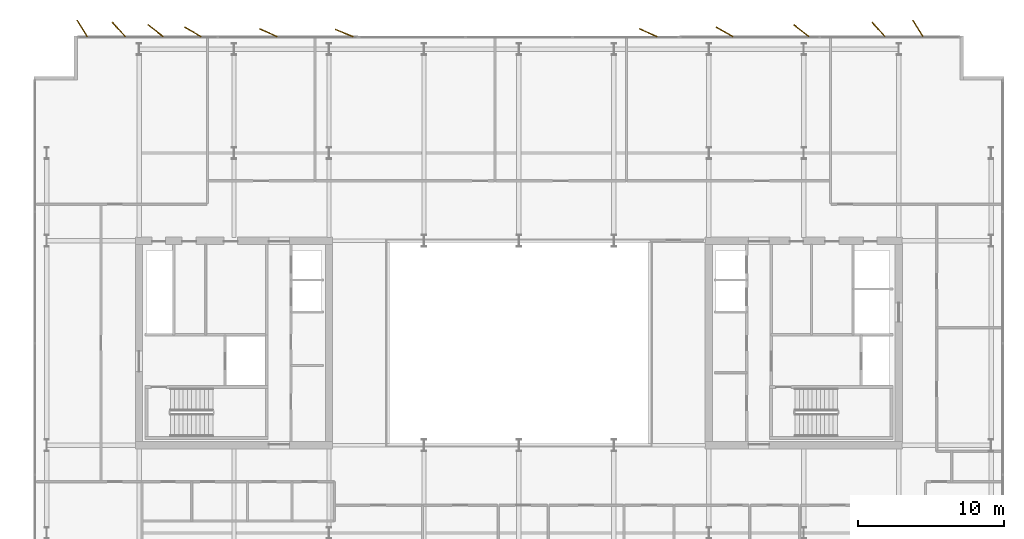
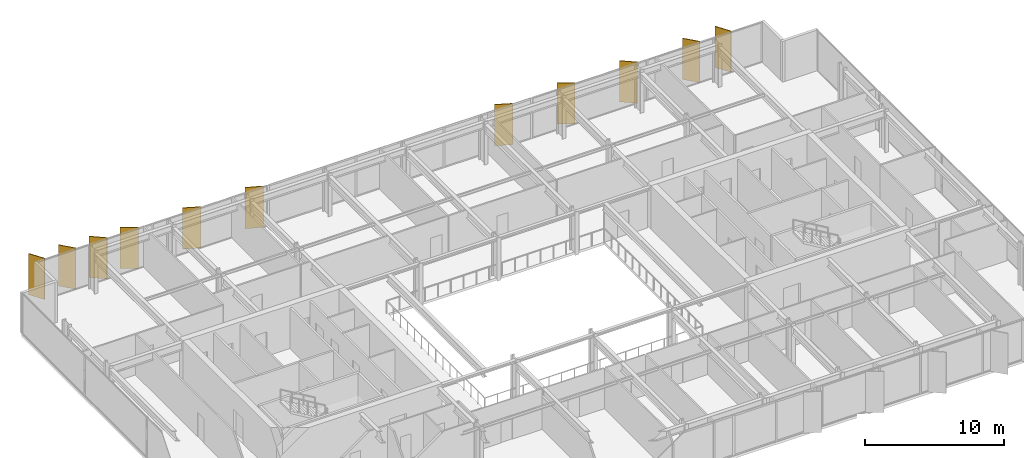
# One storey, part 24 of 24: 11 shading devices.
"""IFC4 building model written with IfcOpenShell, lengths in metres."""

from ifc_helpers import new_model, si_unit, direction, frame, origin, origin_2d, place, context, subcontext, project, spatial, rectangle, extrude, material, layer, layer_set, type_object, element, save


model = new_model("IFC4")

# Units and contexts
model_context = context("Model", 3, precision=1e-05, world=origin(), true_north=direction((0.0, 1.0)))
body_context = subcontext(model_context, "Body", "Model", "MODEL_VIEW")
ifc_project = project(units=[si_unit("LENGTHUNIT", "METRE"), si_unit("AREAUNIT", "SQUARE_METRE"), si_unit("VOLUMEUNIT", "CUBIC_METRE"), si_unit("PLANEANGLEUNIT", "RADIAN"), si_unit("MASSUNIT", "GRAM", prefix="KILO")], contexts=[model_context])

# Site, building, storey
site_placement = place(None, origin())
site = spatial("IfcSite", under=ifc_project, at=site_placement, CompositionType="ELEMENT")
building_placement = place(site_placement, origin())
building = spatial("IfcBuilding", under=site, at=building_placement, Name="Putna Gate Headquarters", CompositionType="ELEMENT")
storey_placement = place(building_placement, frame((0.0, 0.0, 236.60009765625)))
storey = spatial("IfcBuildingStorey", under=building, at=storey_placement, Name="L59", CompositionType="ELEMENT", Elevation=236.60009765625)

# Shading devices
ifc_material = material(Name="Anodised architectural bronze aluminium fin", Category="aluminium")
ifc_layer = layer(ifc_material, 0.06494140625)
ifc_layer_set = layer_set([ifc_layer], Name="Anodised architectural bronze aluminium fin")
shading_device_type = type_object("IfcShadingDeviceType", Name="SHADE-BRONZE-FIN-1320", PredefinedType="USERDEFINED", material=ifc_layer_set)
for number, where, z_axis, x_axis, name in (
    (1, (9.099853515625, 47.534423828125, -0.020263671875), (0.0, 0.0, 1.0), (-0.530659123936, 0.847585331506, 0.0), "L59 Bronze Vertical Shading Fin N1"),
    (2, (11.6083984375, 47.465576171875, -0.020263671875), (0.0, 0.0, 1.0), (-0.669130606359, 0.743144825477, 0.0), "L59 Bronze Vertical Shading Fin N2"),
    (3, (14.13037109375, 47.3818359375, -0.020263671875), (0.0, 0.0, 1.0), (-0.787473187632, 0.616348909921, 0.0), "L59 Bronze Vertical Shading Fin N3"),
    (4, (16.67626953125, 47.30126953125, -0.020263671875), (0.0, 0.0, 1.0), (-0.869322458298, 0.494245347472, 0.0), "L59 Bronze Vertical Shading Fin N4"),
    (5, (21.846923828125, 47.2431640625, -0.020263671875), (0.0, 0.0, 1.0), (-0.913687379856, 0.40641773078, 0.0), "L59 Bronze Vertical Shading Fin N5"),
    (6, (27.0380859375, 47.22216796875, -0.020263671875), (0.0, 0.0, 1.0), (-0.927183854567, 0.374606593416, 0.0), "L59 Bronze Vertical Shading Fin N6"),
    (7, (47.846923828125, 47.2431640625, -0.020263671875), (0.0, 0.0, 1.0), (-0.913687379856, 0.40641773078, 0.0), "L59 Bronze Vertical Shading Fin N7"),
    (8, (53.076171875, 47.30126953125, -0.020263671875), (0.0, 0.0, 1.0), (-0.869322458298, 0.494245347472, 0.0), "L59 Bronze Vertical Shading Fin N8"),
    (9, (58.330322265625, 47.3818359375, -0.020263671875), (0.0, 0.0, 1.0), (-0.787473187632, 0.616348909921, 0.0), "L59 Bronze Vertical Shading Fin N9"),
    (10, (63.6083984375, 47.465576171875, -0.020263671875), (0.0, 0.0, 1.0), (-0.669130606359, 0.743144825477, 0.0), "L59 Bronze Vertical Shading Fin N10"),
    (11, (66.2998046875, 47.534423828125, -0.020263671875), (0.0, 0.0, 1.0), (-0.530659123936, 0.847585331506, 0.0), "L59 Bronze Vertical Shading Fin N11"),
):
    element("IfcShadingDevice", number, at=place(storey_placement, frame(where, z_axis=z_axis, x_axis=x_axis)), inside=storey, type_object=shading_device_type, Name=name, ObjectType="FIN", PredefinedType="USERDEFINED", context=body_context, shape_type="SweptSolid", body=[
        extrude(rectangle(XDim=1.320068359375, YDim=0.06494140625, at=origin_2d()), origin(), (0.0, 0.0, 1.0), 3.6201171875),
    ])

save(model, "model.ifc")
